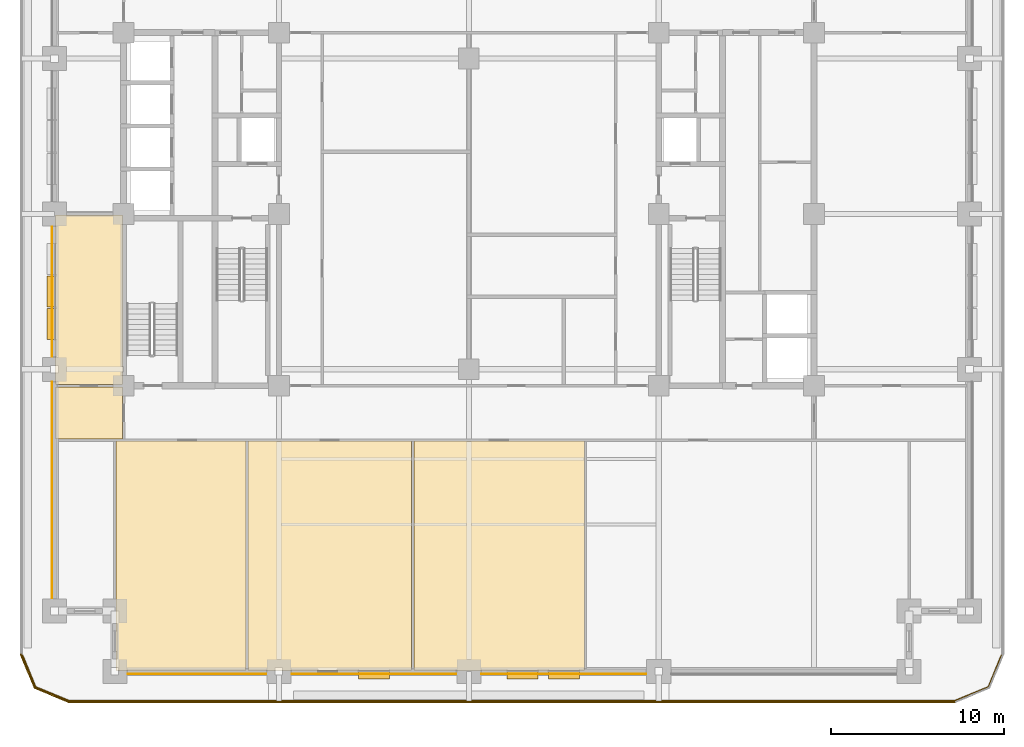
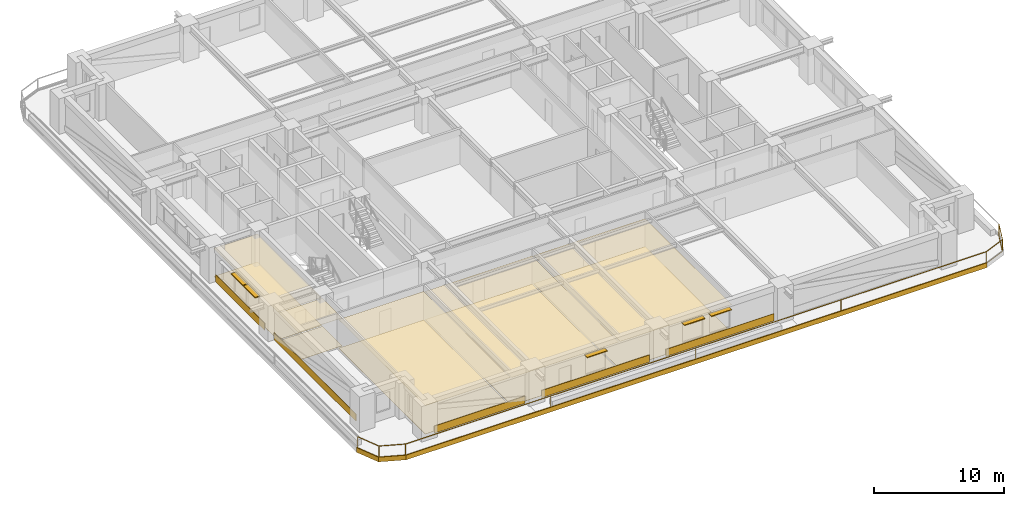
# One storey, part 8 of 14: 18 coverings, 5 shading devices, 1 railing.
"""IFC4 building model written with IfcOpenShell, lengths in metres."""

from ifc_helpers import new_model, si_unit, direction, frame, frame_2d, origin, origin_2d, place, context, subcontext, project, spatial, polyline, rectangle, outline, extrude, material, layer, layer_set, type_object, element, save


model = new_model("IFC4")

# Units and contexts
model_context = context("Model", 3, precision=1e-05, world=origin(), true_north=direction((0.0, 1.0)))
body_context = subcontext(model_context, "Body", "Model", "MODEL_VIEW")
ifc_project = project(units=[si_unit("LENGTHUNIT", "METRE"), si_unit("AREAUNIT", "SQUARE_METRE"), si_unit("VOLUMEUNIT", "CUBIC_METRE"), si_unit("PLANEANGLEUNIT", "RADIAN"), si_unit("MASSUNIT", "GRAM", prefix="KILO")], contexts=[model_context])

# Site, building, storey
site_placement = place(None, origin())
site = spatial("IfcSite", under=ifc_project, at=site_placement, CompositionType="ELEMENT")
building_placement = place(site_placement, origin())
building = spatial("IfcBuilding", under=site, at=building_placement, Name="Zulmaris Gate Convention Tower", CompositionType="ELEMENT")
storey_placement = place(building_placement, frame((0.0, 0.0, 41.47998046875)))
storey = spatial("IfcBuildingStorey", under=building, at=storey_placement, Name="L09", CompositionType="ELEMENT", Elevation=41.47998046875)

# Coverings
ifc_material_1 = material(Name="Precast concrete C40/50", Category="concrete")
ifc_layer_1 = layer(ifc_material_1, 0.0400390625, Name="Precast concrete C40/50")
ifc_layer_set_1 = layer_set([ifc_layer_1], Name="Precast concrete C40/50")
covering_type_1 = type_object("IfcCoveringType", Name="CLAD-SPANDREL-PRECAST", PredefinedType="CLADDING", material=ifc_layer_set_1)
covering_1_placement = place(storey_placement, frame((-19.77001953125, -26.64990234375, 0.0), z_axis=(0.0, 0.0, 1.0), x_axis=(1.0, 0.0, 0.0)))
element("IfcCovering", 1, at=covering_1_placement, inside=storey, type_object=covering_type_1, Name="CLD-L09-S-0_0", PredefinedType="CLADDING", context=body_context, shape_type="SweptSolid", body=[
    extrude(rectangle(XDim=8.0400390625, YDim=0.0400390625, at=frame_2d((4.02001953125, 0.0))), origin(), (0.0, 0.0, 1.0), 0.679931640625),
])
for number, where, z_axis, x_axis, name in (
    (2, (-10.27001953125, -26.64990234375, 0.0), (0.0, 0.0, 1.0), (1.0, 0.0, 0.0), "CLD-L09-S-1_0"),
    (3, (0.72998046875, -26.64990234375, 0.0), (0.0, 0.0, 1.0), (1.0, 0.0, 0.0), "CLD-L09-S-2_0"),
):
    element("IfcCovering", number, at=place(storey_placement, frame(where, z_axis=z_axis, x_axis=x_axis)), inside=storey, type_object=covering_type_1, Name=name, PredefinedType="CLADDING", context=body_context, shape_type="SweptSolid", body=[
        extrude(rectangle(XDim=9.5400390625, YDim=0.0400390625, at=frame_2d((4.77001953125, 0.0))), origin(), (0.0, 0.0, 1.0), 0.679931640625),
    ])
covering_2_placement = place(storey_placement, frame((-24.14990234375, -9.72998046875, 0.0), z_axis=(0.0, 0.0, 1.0), x_axis=(0.0, -1.0, 0.0)))
element("IfcCovering", 4, at=covering_2_placement, inside=storey, type_object=covering_type_1, Name="CLD-L09-W-0_0", PredefinedType="CLADDING", context=body_context, shape_type="SweptSolid", body=[
    extrude(rectangle(XDim=12.5400390625, YDim=0.0400390625, at=frame_2d((6.27001953125, 0.0))), origin(), (0.0, 0.0, 1.0), 0.679931640625),
])
covering_3_placement = place(storey_placement, frame((-24.14990234375, -0.72998046875, 0.0), z_axis=(0.0, 0.0, 1.0), x_axis=(0.0, -1.0, 0.0)))
element("IfcCovering", 5, at=covering_3_placement, inside=storey, type_object=covering_type_1, Name="CLD-L09-W-1_0", PredefinedType="CLADDING", context=body_context, shape_type="SweptSolid", body=[
    extrude(rectangle(XDim=7.5400390625, YDim=0.0400390625, at=frame_2d((3.77001953125, 0.0))), origin(), (0.0, 0.0, 1.0), 0.679931640625),
])
ifc_material_2 = material(Name="White Glazed Architectural Precast Concrete C40/50", Category="concrete")
ifc_layer_2 = layer(ifc_material_2, 0.080078125, Name="White Glazed Architectural Precast Concrete C40/50")
ifc_layer_set_2 = layer_set([ifc_layer_2], Name="White Glazed Architectural Precast Concrete C40/50")
covering_type_2 = type_object("IfcCoveringType", Name="CLAD-TRAY-FASCIA", PredefinedType="CLADDING", material=ifc_layer_set_2)
covering_4_placement = place(storey_placement, frame((-25.962890625, -25.484619140625, -0.2900390625), z_axis=(0.0, 0.0, 1.0), x_axis=(0.382656984709, -0.923890487046, 0.0)))
element("IfcCovering", 6, at=covering_4_placement, inside=storey, type_object=covering_type_2, Name="FSC-L09-TR-00", PredefinedType="CLADDING", context=body_context, shape_type="SweptSolid", body=[
    extrude(rectangle(XDim=2.14306640625, YDim=0.080078125, at=frame_2d((1.071533203125, 0.0))), origin(), (0.0, 0.0, 1.0), 0.43994140625),
])
covering_5_placement = place(storey_placement, frame((-25.16455078125, -27.44287109375, -0.2900390625), z_axis=(0.0, 0.0, 1.0), x_axis=(0.923873803533, -0.382697263049, 0.0)))
element("IfcCovering", 7, at=covering_5_placement, inside=storey, type_object=covering_type_2, Name="FSC-L09-TR-01", PredefinedType="CLADDING", context=body_context, shape_type="SweptSolid", body=[
    extrude(rectangle(XDim=2.142822265625, YDim=0.080078125, at=frame_2d((1.0712890625, 0.0))), origin(), (0.0, 0.0, 1.0), 0.43994140625),
])
covering_6_placement = place(storey_placement, frame((-23.199951171875, -28.260009765625, -0.2900390625), z_axis=(0.0, 0.0, 1.0), x_axis=(1.0, 0.0, 0.0)))
element("IfcCovering", 8, at=covering_6_placement, inside=storey, type_object=covering_type_2, Name="FSC-L09-TR-02", PredefinedType="CLADDING", context=body_context, shape_type="SweptSolid", body=[
    extrude(rectangle(XDim=51.39990234375, YDim=0.080078125, at=frame_2d((25.699951171875, 0.0))), origin(), (0.0, 0.0, 1.0), 0.43994140625),
])
ifc_material_3 = material(Name="Mineral Fibre Acoustic Ceiling Tile")
ifc_layer_3 = layer(ifc_material_3, 0.02001953125, Name="Mineral Fibre Acoustic Ceiling Tile")
ifc_layer_set_3 = layer_set([ifc_layer_3], Name="Mineral Fibre Acoustic Ceiling Tile")
covering_type_3 = type_object("IfcCoveringType", Name="CLG-ACOUSTIC-600", PredefinedType="CEILING", material=ifc_layer_set_3)
covering_7_placement = place(storey_placement, frame((0.0, 0.0, 2.679931640625)))
element("IfcCovering", 9, at=covering_7_placement, inside=storey, type_object=covering_type_3, Name="CLG-L09-R39", PredefinedType="CEILING", context=body_context, shape_type="SweptSolid", body=[
    extrude(outline(polyline([(-20.43994140625, -26.43994140625), (-12.909912109375, -26.43994140625), (-12.909912109375, -13.159912109375), (-20.43994140625, -13.159912109375), (-20.43994140625, -26.43994140625)])), origin(), (0.0, 0.0, 1.0), 0.02001953125),
])
covering_8_placement = place(storey_placement, frame((0.0, 0.0, 2.6279296875)))
element("IfcCovering", 10, at=covering_8_placement, inside=storey, type_object=covering_type_3, Name="CLG-L09-R40", PredefinedType="CEILING", context=body_context, shape_type="SweptSolid", body=[
    extrude(outline(polyline([(-12.7900390625, -26.43994140625), (-3.31005859375, -26.43994140625), (-3.31005859375, -13.159912109375), (-12.7900390625, -13.159912109375), (-12.7900390625, -26.43994140625)])), origin(), (0.0, 0.0, 1.0), 0.02001953125),
])
covering_9_placement = place(storey_placement, frame((0.0, 0.0, 2.6279296875)))
element("IfcCovering", 11, at=covering_9_placement, inside=storey, type_object=covering_type_3, Name="CLG-L09-R41", PredefinedType="CEILING", context=body_context, shape_type="SweptSolid", body=[
    extrude(outline(polyline([(-3.18994140625, -26.43994140625), (6.68994140625, -26.43994140625), (6.68994140625, -13.159912109375), (-3.18994140625, -13.159912109375), (-3.18994140625, -26.43994140625)])), origin(), (0.0, 0.0, 1.0), 0.02001953125),
])
covering_10_placement = place(storey_placement, frame((0.0, 0.0, 2.6279296875)))
element("IfcCovering", 12, at=covering_10_placement, inside=storey, type_object=covering_type_3, Name="CLG-L09-R50", PredefinedType="CEILING", context=body_context, shape_type="SweptSolid", body=[
    extrude(outline(polyline([(-23.93994140625, -13.0400390625), (-20.06005859375, -13.0400390625), (-20.06005859375, -10.010009765625), (-23.93994140625, -10.010009765625), (-23.93994140625, -13.0400390625)])), origin(), (0.0, 0.0, 1.0), 0.02001953125),
])
covering_11_placement = place(storey_placement, frame((0.0, 0.0, 2.6279296875)))
element("IfcCovering", 13, at=covering_11_placement, inside=storey, type_object=covering_type_3, Name="CLG-L09-R52", PredefinedType="CEILING", context=body_context, shape_type="SweptSolid", body=[
    extrude(outline(polyline([(-23.93994140625, -9.889892578125), (-20.06005859375, -9.889892578125), (-20.06005859375, -0.06005859375), (-23.93994140625, -0.06005859375), (-23.93994140625, -9.889892578125)])), origin(), (0.0, 0.0, 1.0), 0.02001953125),
])
ifc_material_4 = material(Name="Woven Acoustic Wool Carpet Tile")
ifc_layer_4 = layer(ifc_material_4, 0.02001953125, Name="Woven Acoustic Wool Carpet Tile")
ifc_layer_set_4 = layer_set([ifc_layer_4], Name="Woven Acoustic Wool Carpet Tile")
covering_type_4 = type_object("IfcCoveringType", Name="FLR-CARPET-12", PredefinedType="FLOORING", material=ifc_layer_set_4)
covering_12_placement = place(storey_placement, origin())
element("IfcCovering", 14, at=covering_12_placement, inside=storey, type_object=covering_type_4, Name="FLR-L09-R40", PredefinedType="FLOORING", context=body_context, shape_type="SweptSolid", body=[
    extrude(outline(polyline([(-12.7900390625, -26.43994140625), (-3.31005859375, -26.43994140625), (-3.31005859375, -13.159912109375), (-12.7900390625, -13.159912109375), (-12.7900390625, -26.43994140625)])), origin(), (0.0, 0.0, 1.0), 0.02001953125),
])
covering_13_placement = place(storey_placement, origin())
element("IfcCovering", 15, at=covering_13_placement, inside=storey, type_object=covering_type_4, Name="FLR-L09-R41", PredefinedType="FLOORING", context=body_context, shape_type="SweptSolid", body=[
    extrude(outline(polyline([(-3.18994140625, -26.43994140625), (6.68994140625, -26.43994140625), (6.68994140625, -13.159912109375), (-3.18994140625, -13.159912109375), (-3.18994140625, -26.43994140625)])), origin(), (0.0, 0.0, 1.0), 0.02001953125),
])
covering_14_placement = place(storey_placement, origin())
element("IfcCovering", 16, at=covering_14_placement, inside=storey, type_object=covering_type_4, Name="FLR-L09-R50", PredefinedType="FLOORING", context=body_context, shape_type="SweptSolid", body=[
    extrude(outline(polyline([(-23.93994140625, -13.0400390625), (-20.06005859375, -13.0400390625), (-20.06005859375, -10.010009765625), (-23.93994140625, -10.010009765625), (-23.93994140625, -13.0400390625)])), origin(), (0.0, 0.0, 1.0), 0.02001953125),
])
covering_15_placement = place(storey_placement, origin())
element("IfcCovering", 17, at=covering_15_placement, inside=storey, type_object=covering_type_4, Name="FLR-L09-R52", PredefinedType="FLOORING", context=body_context, shape_type="SweptSolid", body=[
    extrude(outline(polyline([(-23.93994140625, -9.889892578125), (-20.06005859375, -9.889892578125), (-20.06005859375, -0.06005859375), (-23.93994140625, -0.06005859375), (-23.93994140625, -9.889892578125)])), origin(), (0.0, 0.0, 1.0), 0.02001953125),
])
ifc_material_5 = material(Name="Engineered Teak Parquet Flooring")
ifc_layer_5 = layer(ifc_material_5, 0.02001953125, Name="Engineered Teak Parquet Flooring")
ifc_layer_set_5 = layer_set([ifc_layer_5], Name="Engineered Teak Parquet Flooring")
covering_type_5 = type_object("IfcCoveringType", Name="FLR-TIMBER-18", PredefinedType="FLOORING", material=ifc_layer_set_5)
covering_16_placement = place(storey_placement, origin())
element("IfcCovering", 18, at=covering_16_placement, inside=storey, type_object=covering_type_5, Name="FLR-L09-R39", PredefinedType="FLOORING", context=body_context, shape_type="SweptSolid", body=[
    extrude(outline(polyline([(-20.43994140625, -26.43994140625), (-12.909912109375, -26.43994140625), (-12.909912109375, -13.159912109375), (-20.43994140625, -13.159912109375), (-20.43994140625, -26.43994140625)])), origin(), (0.0, 0.0, 1.0), 0.02001953125),
])

# Railing
ifc_material_6 = material(Name="Laminated Glass and Stainless Steel", Category="steel")
railing_type = type_object("IfcRailingType", Name="RL-BALC-1150", PredefinedType="BALUSTRADE", material=ifc_material_6)
railing_placement = place(storey_placement, frame((-25.8798828125, -25.5, -0.010009765625)))
element("IfcRailing", 19, at=railing_placement, inside=storey, type_object=railing_type, Name="RL-L09-BALC-S", PredefinedType="BALUSTRADE", context=body_context, shape_type="SweptSolid", body=[
    extrude(rectangle(XDim=0.048095703125, YDim=0.048095703125, at=origin_2d()), frame((0.0, 0.0, 1.1259765625), z_axis=(0.382670664694, -0.92388482095, 0.0), x_axis=(0.92388482095, 0.382670664694, 0.0)), (0.0, 0.0, 1.0), 2.051025390625),
    extrude(rectangle(XDim=0.048095703125, YDim=0.048095703125, at=origin_2d()), frame((0.0, 0.0, 0.02392578125), z_axis=(0.382670664694, -0.92388482095, 0.0), x_axis=(0.92388482095, 0.382670664694, 0.0)), (0.0, 0.0, 1.0), 2.051025390625),
    extrude(rectangle(XDim=0.048095703125, YDim=0.048095703125, at=origin_2d()), frame((0.784912109375, -1.89501953125, 1.1259765625), z_axis=(0.92388482095, -0.382670664694, 0.0), x_axis=(0.382670664694, 0.92388482095, 0.0)), (0.0, 0.0, 1.0), 2.051025390625),
    extrude(rectangle(XDim=0.048095703125, YDim=0.048095703125, at=origin_2d()), frame((0.784912109375, -1.89501953125, 0.02392578125), z_axis=(0.92388482095, -0.382670664694, 0.0), x_axis=(0.382670664694, 0.92388482095, 0.0)), (0.0, 0.0, 1.0), 2.051025390625),
    extrude(rectangle(XDim=0.048095703125, YDim=0.048095703125, at=origin_2d()), frame((2.679931640625, -2.679931640625, 1.1259765625), z_axis=(1.0, 0.0, 0.0), x_axis=(0.0, 1.0, 0.0)), (0.0, 0.0, 1.0), 51.39990234375),
    extrude(rectangle(XDim=0.048095703125, YDim=0.048095703125, at=origin_2d()), frame((2.679931640625, -2.679931640625, 0.02392578125), z_axis=(1.0, 0.0, 0.0), x_axis=(0.0, 1.0, 0.0)), (0.0, 0.0, 1.0), 51.39990234375),
    extrude(rectangle(XDim=0.048095703125, YDim=0.048095703125, at=origin_2d()), frame((54.079833984375, -2.679931640625, 1.1259765625), z_axis=(0.92388482095, 0.382670664694, 0.0), x_axis=(-0.382670664694, 0.92388482095, 0.0)), (0.0, 0.0, 1.0), 2.051025390625),
    extrude(rectangle(XDim=0.048095703125, YDim=0.048095703125, at=origin_2d()), frame((54.079833984375, -2.679931640625, 0.02392578125), z_axis=(0.92388482095, 0.382670664694, 0.0), x_axis=(-0.382670664694, 0.92388482095, 0.0)), (0.0, 0.0, 1.0), 2.051025390625),
    extrude(rectangle(XDim=0.048095703125, YDim=0.048095703125, at=origin_2d()), frame((55.974853515625, -1.89501953125, 1.1259765625), z_axis=(0.382670664694, 0.92388482095, 0.0), x_axis=(-0.92388482095, 0.382670664694, 0.0)), (0.0, 0.0, 1.0), 2.051025390625),
    extrude(rectangle(XDim=0.048095703125, YDim=0.048095703125, at=origin_2d()), frame((55.974853515625, -1.89501953125, 0.02392578125), z_axis=(0.382670664694, 0.92388482095, 0.0), x_axis=(-0.92388482095, 0.382670664694, 0.0)), (0.0, 0.0, 1.0), 2.051025390625),
    extrude(rectangle(XDim=0.0419921875, YDim=0.0419921875, at=origin_2d()), origin(), (0.0, 0.0, 1.0), 1.101806640625),
    extrude(rectangle(XDim=0.0419921875, YDim=0.0419921875, at=origin_2d()), frame((0.784912109375, -1.89501953125, 0.0)), (0.0, 0.0, 1.0), 1.101806640625),
    extrude(rectangle(XDim=0.0419921875, YDim=0.0419921875, at=origin_2d()), frame((2.679931640625, -2.679931640625, 0.0)), (0.0, 0.0, 1.0), 1.101806640625),
    extrude(rectangle(XDim=0.0419921875, YDim=0.0419921875, at=origin_2d()), frame((15.52978515625, -2.679931640625, 0.0)), (0.0, 0.0, 1.0), 1.101806640625),
    extrude(rectangle(XDim=0.0419921875, YDim=0.0419921875, at=origin_2d()), frame((28.3798828125, -2.679931640625, 0.0)), (0.0, 0.0, 1.0), 1.101806640625),
    extrude(rectangle(XDim=0.0419921875, YDim=0.0419921875, at=origin_2d()), frame((41.22998046875, -2.679931640625, 0.0)), (0.0, 0.0, 1.0), 1.101806640625),
    extrude(rectangle(XDim=0.0419921875, YDim=0.0419921875, at=origin_2d()), frame((54.079833984375, -2.679931640625, 0.0)), (0.0, 0.0, 1.0), 1.101806640625),
    extrude(rectangle(XDim=0.0419921875, YDim=0.0419921875, at=origin_2d()), frame((55.974853515625, -1.89501953125, 0.0)), (0.0, 0.0, 1.0), 1.101806640625),
    extrude(rectangle(XDim=0.0419921875, YDim=0.0419921875, at=origin_2d()), frame((56.759765625, 0.0, 0.0)), (0.0, 0.0, 1.0), 1.101806640625),
])

# Shading devices
ifc_material_7 = material(Name="Glazed Ceramic Terracotta", Category="masonry")
ifc_layer_6 = layer(ifc_material_7, 0.070068359375, Name="Glazed Ceramic Terracotta")
ifc_layer_set_6 = layer_set([ifc_layer_6], Name="Glazed Ceramic Terracotta")
shading_device_type = type_object("IfcShadingDeviceType", Name="SHD-SUNSHADE-TC", PredefinedType="AWNING", material=ifc_layer_set_6)
for number, where, z_axis, x_axis, name in (
    (20, (-6.39990234375, -26.719970703125, 2.530029296875), (0.0, 0.0, 1.0), (1.0, 0.0, 0.0), "SHD-EW-L09-S-1_0-2"),
    (21, (2.215087890625, -26.719970703125, 2.530029296875), (0.0, 0.0, 1.0), (1.0, 0.0, 0.0), "SHD-EW-L09-S-2_0-1"),
    (22, (4.60009765625, -26.719970703125, 2.530029296875), (0.0, 0.0, 1.0), (1.0, 0.0, 0.0), "SHD-EW-L09-S-2_0-2"),
    (23, (-24.219970703125, -3.60009765625, 2.530029296875), (0.0, 0.0, 1.0), (0.0, -1.0, 0.0), "SHD-EW-L09-W-1_0-2"),
    (24, (-24.219970703125, -5.485107421875, 2.530029296875), (0.0, 0.0, 1.0), (0.0, -1.0, 0.0), "SHD-EW-L09-W-1_0-3"),
):
    element("IfcShadingDevice", number, at=place(storey_placement, frame(where, z_axis=z_axis, x_axis=x_axis)), inside=storey, type_object=shading_device_type, Name=name, PredefinedType="AWNING", context=body_context, shape_type="SweptSolid", body=[
        extrude(rectangle(XDim=1.7998046875, YDim=0.43994140625, at=frame_2d((0.89990234375, 0.0))), origin(), (0.0, 0.0, 1.0), 0.070068359375),
    ])

save(model, "model.ifc")
